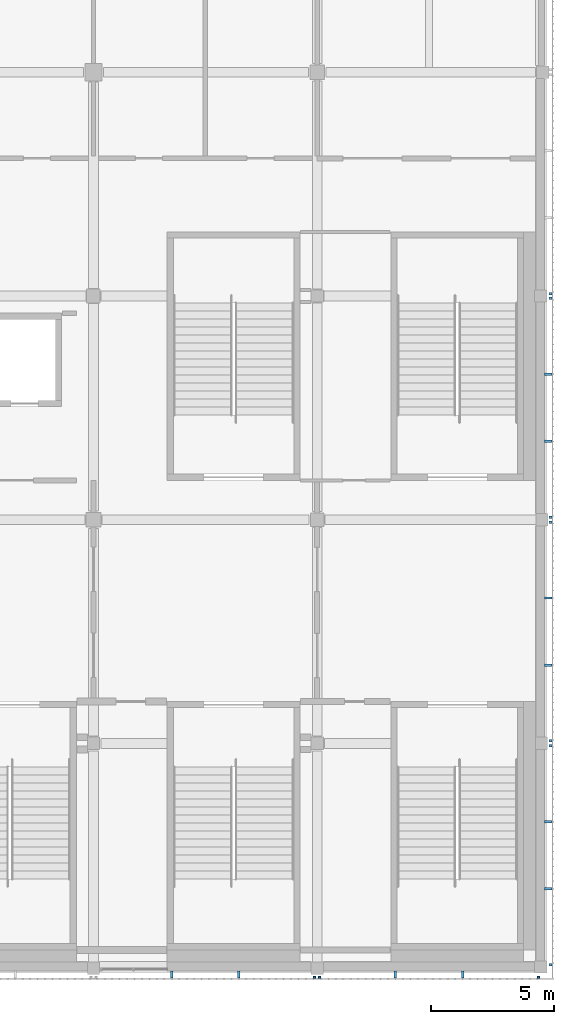
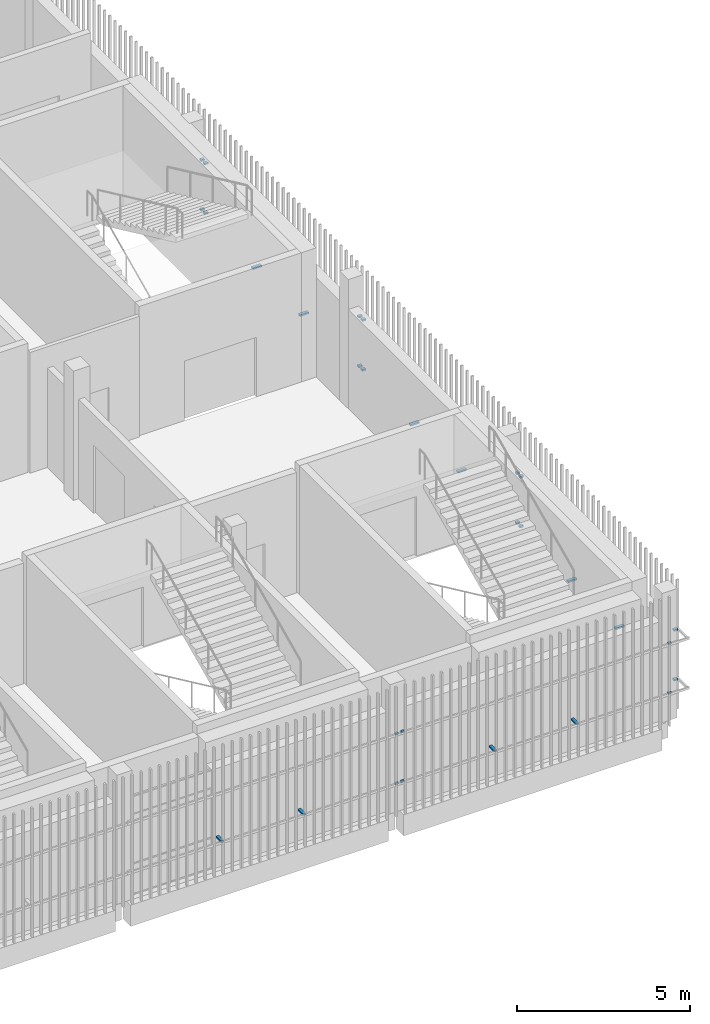
# One storey, part 99 of 124: 30 discrete accessories.
"""IFC4 building model written with IfcOpenShell, lengths in metres."""

from ifc_helpers import new_model, si_unit, direction, frame, origin, origin_2d, place, context, subcontext, project, spatial, rectangle, extrude, material, type_object, element, save


model = new_model("IFC4")

# Units and contexts
model_context = context("Model", 3, precision=1e-05, world=origin(), true_north=direction((0.0, 1.0)))
body_context = subcontext(model_context, "Body", "Model", "MODEL_VIEW")
ifc_project = project(units=[si_unit("LENGTHUNIT", "METRE"), si_unit("AREAUNIT", "SQUARE_METRE"), si_unit("VOLUMEUNIT", "CUBIC_METRE"), si_unit("PLANEANGLEUNIT", "RADIAN"), si_unit("MASSUNIT", "GRAM", prefix="KILO")], contexts=[model_context])

# Site, building, storey
site_placement = place(None, origin())
site = spatial("IfcSite", under=ifc_project, at=site_placement, CompositionType="ELEMENT")
building_placement = place(site_placement, origin())
building = spatial("IfcBuilding", under=site, at=building_placement, Name="Shirokan Park Arena", CompositionType="ELEMENT")
storey_placement = place(building_placement, frame((0.0, 0.0, 20.02001953125)))
storey = spatial("IfcBuildingStorey", under=building, at=storey_placement, Name="L04", CompositionType="ELEMENT", Elevation=20.02001953125)

# Discrete accessories
ifc_material = material(Name="Steel S355", Category="steel")
discrete_accessory_type = type_object("IfcDiscreteAccessoryType", Name="Veil bracket 100x60", PredefinedType="BRACKET", material=ifc_material)
for number, where, z_axis, x_axis, name in (
    (1, (136.39990234375, -0.409912109375, 1.070068359375), (0.0, 0.0, 1.0), (1.0, 0.0, 0.0), "Veil bracket south bay 15 L04 2"),
    (2, (136.39990234375, -0.409912109375, 2.820068359375), (0.0, 0.0, 1.0), (1.0, 0.0, 0.0), "Veil bracket south bay 15 L04 4"),
):
    element("IfcDiscreteAccessory", number, at=place(storey_placement, frame(where, z_axis=z_axis, x_axis=x_axis)), inside=storey, type_object=discrete_accessory_type, Name=name, PredefinedType="BRACKET", context=body_context, shape_type="SweptSolid", body=[
        extrude(rectangle(XDim=0.10009765625, YDim=0.070068359375, at=origin_2d()), origin(), (0.0, 0.0, 1.0), 0.06005859375),
    ])
for number, where, z_axis, x_axis, name in (
    (3, (130.5849609375, -0.297607421875, 1.070068359375), (0.0, 0.0, 1.0), (1.0, 0.0, 0.0), "Veil bracket south bay 15 L04 wall 1"),
    (4, (133.31494140625, -0.297607421875, 1.070068359375), (0.0, 0.0, 1.0), (1.0, 0.0, 0.0), "Veil bracket south bay 15 L04 wall 2"),
):
    element("IfcDiscreteAccessory", number, at=place(storey_placement, frame(where, z_axis=z_axis, x_axis=x_axis)), inside=storey, type_object=discrete_accessory_type, Name=name, PredefinedType="BRACKET", context=body_context, shape_type="SweptSolid", body=[
        extrude(rectangle(XDim=0.10009765625, YDim=0.294921875, at=origin_2d()), origin(), (0.0, 0.0, 1.0), 0.06005859375),
    ])
for number, where, z_axis, x_axis, name in (
    (5, (136.60009765625, -0.409912109375, 1.070068359375), (0.0, 0.0, 1.0), (1.0, 0.0, 0.0), "Veil bracket south bay 16 L04 1"),
    (6, (145.5, -0.409912109375, 1.070068359375), (0.0, 0.0, 1.0), (1.0, 0.0, 0.0), "Veil bracket south bay 16 L04 2"),
    (7, (136.60009765625, -0.409912109375, 2.820068359375), (0.0, 0.0, 1.0), (1.0, 0.0, 0.0), "Veil bracket south bay 16 L04 3"),
    (8, (145.5, -0.409912109375, 2.820068359375), (0.0, 0.0, 1.0), (1.0, 0.0, 0.0), "Veil bracket south bay 16 L04 4"),
):
    element("IfcDiscreteAccessory", number, at=place(storey_placement, frame(where, z_axis=z_axis, x_axis=x_axis)), inside=storey, type_object=discrete_accessory_type, Name=name, PredefinedType="BRACKET", context=body_context, shape_type="SweptSolid", body=[
        extrude(rectangle(XDim=0.10009765625, YDim=0.070068359375, at=origin_2d()), origin(), (0.0, 0.0, 1.0), 0.06005859375),
    ])
for number, where, z_axis, x_axis, name in (
    (9, (139.68505859375, -0.297607421875, 1.070068359375), (0.0, 0.0, 1.0), (1.0, 0.0, 0.0), "Veil bracket south bay 16 L04 wall 1"),
    (10, (142.4150390625, -0.297607421875, 1.070068359375), (0.0, 0.0, 1.0), (1.0, 0.0, 0.0), "Veil bracket south bay 16 L04 wall 2"),
):
    element("IfcDiscreteAccessory", number, at=place(storey_placement, frame(where, z_axis=z_axis, x_axis=x_axis)), inside=storey, type_object=discrete_accessory_type, Name=name, PredefinedType="BRACKET", context=body_context, shape_type="SweptSolid", body=[
        extrude(rectangle(XDim=0.10009765625, YDim=0.294921875, at=origin_2d()), origin(), (0.0, 0.0, 1.0), 0.06005859375),
    ])
for number, where, z_axis, x_axis, name in (
    (11, (145.985107421875, 0.10009765625, 1.070068359375), (0.0, 0.0, 1.0), (0.0, 1.0, 0.0), "Veil bracket east bay 1 L04 1"),
    (12, (145.985107421875, 9.0, 1.070068359375), (0.0, 0.0, 1.0), (0.0, 1.0, 0.0), "Veil bracket east bay 1 L04 2"),
    (13, (145.985107421875, 0.10009765625, 2.820068359375), (0.0, 0.0, 1.0), (0.0, 1.0, 0.0), "Veil bracket east bay 1 L04 3"),
    (14, (145.985107421875, 9.0, 2.820068359375), (0.0, 0.0, 1.0), (0.0, 1.0, 0.0), "Veil bracket east bay 1 L04 4"),
):
    element("IfcDiscreteAccessory", number, at=place(storey_placement, frame(where, z_axis=z_axis, x_axis=x_axis)), inside=storey, type_object=discrete_accessory_type, Name=name, PredefinedType="BRACKET", context=body_context, shape_type="SweptSolid", body=[
        extrude(rectangle(XDim=0.10009765625, YDim=0.1201171875, at=origin_2d()), origin(), (0.0, 0.0, 1.0), 0.06005859375),
    ])
for number, where, z_axis, x_axis, name in (
    (15, (145.8974609375, 3.18505859375, 1.070068359375), (0.0, 0.0, 1.0), (0.0, 1.0, 0.0), "Veil bracket east bay 1 L04 wall 1"),
    (16, (145.8974609375, 5.9150390625, 1.070068359375), (0.0, 0.0, 1.0), (0.0, 1.0, 0.0), "Veil bracket east bay 1 L04 wall 2"),
):
    element("IfcDiscreteAccessory", number, at=place(storey_placement, frame(where, z_axis=z_axis, x_axis=x_axis)), inside=storey, type_object=discrete_accessory_type, Name=name, PredefinedType="BRACKET", context=body_context, shape_type="SweptSolid", body=[
        extrude(rectangle(XDim=0.10009765625, YDim=0.294921875, at=origin_2d()), origin(), (0.0, 0.0, 1.0), 0.06005859375),
    ])
for number, where, z_axis, x_axis, name in (
    (17, (145.985107421875, 9.199951171875, 1.070068359375), (0.0, 0.0, 1.0), (0.0, 1.0, 0.0), "Veil bracket east bay 2 L04 1"),
    (18, (145.985107421875, 18.10009765625, 1.070068359375), (0.0, 0.0, 1.0), (0.0, 1.0, 0.0), "Veil bracket east bay 2 L04 2"),
    (19, (145.985107421875, 9.199951171875, 2.820068359375), (0.0, 0.0, 1.0), (0.0, 1.0, 0.0), "Veil bracket east bay 2 L04 3"),
    (20, (145.985107421875, 18.10009765625, 2.820068359375), (0.0, 0.0, 1.0), (0.0, 1.0, 0.0), "Veil bracket east bay 2 L04 4"),
):
    element("IfcDiscreteAccessory", number, at=place(storey_placement, frame(where, z_axis=z_axis, x_axis=x_axis)), inside=storey, type_object=discrete_accessory_type, Name=name, PredefinedType="BRACKET", context=body_context, shape_type="SweptSolid", body=[
        extrude(rectangle(XDim=0.10009765625, YDim=0.1201171875, at=origin_2d()), origin(), (0.0, 0.0, 1.0), 0.06005859375),
    ])
for number, where, z_axis, x_axis, name in (
    (21, (145.8974609375, 12.284912109375, 1.070068359375), (0.0, 0.0, 1.0), (0.0, 1.0, 0.0), "Veil bracket east bay 2 L04 wall 1"),
    (22, (145.8974609375, 15.014892578125, 1.070068359375), (0.0, 0.0, 1.0), (0.0, 1.0, 0.0), "Veil bracket east bay 2 L04 wall 2"),
):
    element("IfcDiscreteAccessory", number, at=place(storey_placement, frame(where, z_axis=z_axis, x_axis=x_axis)), inside=storey, type_object=discrete_accessory_type, Name=name, PredefinedType="BRACKET", context=body_context, shape_type="SweptSolid", body=[
        extrude(rectangle(XDim=0.10009765625, YDim=0.294921875, at=origin_2d()), origin(), (0.0, 0.0, 1.0), 0.06005859375),
    ])
for number, where, z_axis, x_axis, name in (
    (23, (145.985107421875, 18.300048828125, 1.070068359375), (0.0, 0.0, 1.0), (0.0, 1.0, 0.0), "Veil bracket east bay 3 L04 1"),
    (24, (145.985107421875, 27.199951171875, 1.070068359375), (0.0, 0.0, 1.0), (0.0, 1.0, 0.0), "Veil bracket east bay 3 L04 2"),
    (25, (145.985107421875, 18.300048828125, 2.820068359375), (0.0, 0.0, 1.0), (0.0, 1.0, 0.0), "Veil bracket east bay 3 L04 3"),
    (26, (145.985107421875, 27.199951171875, 2.820068359375), (0.0, 0.0, 1.0), (0.0, 1.0, 0.0), "Veil bracket east bay 3 L04 4"),
):
    element("IfcDiscreteAccessory", number, at=place(storey_placement, frame(where, z_axis=z_axis, x_axis=x_axis)), inside=storey, type_object=discrete_accessory_type, Name=name, PredefinedType="BRACKET", context=body_context, shape_type="SweptSolid", body=[
        extrude(rectangle(XDim=0.10009765625, YDim=0.1201171875, at=origin_2d()), origin(), (0.0, 0.0, 1.0), 0.06005859375),
    ])
for number, where, z_axis, x_axis, name in (
    (27, (145.8974609375, 21.385009765625, 1.070068359375), (0.0, 0.0, 1.0), (0.0, 1.0, 0.0), "Veil bracket east bay 3 L04 wall 1"),
    (28, (145.8974609375, 24.114990234375, 1.070068359375), (0.0, 0.0, 1.0), (0.0, 1.0, 0.0), "Veil bracket east bay 3 L04 wall 2"),
):
    element("IfcDiscreteAccessory", number, at=place(storey_placement, frame(where, z_axis=z_axis, x_axis=x_axis)), inside=storey, type_object=discrete_accessory_type, Name=name, PredefinedType="BRACKET", context=body_context, shape_type="SweptSolid", body=[
        extrude(rectangle(XDim=0.10009765625, YDim=0.294921875, at=origin_2d()), origin(), (0.0, 0.0, 1.0), 0.06005859375),
    ])
for number, where, z_axis, x_axis, name in (
    (29, (145.985107421875, 27.39990234375, 1.070068359375), (0.0, 0.0, 1.0), (0.0, 1.0, 0.0), "Veil bracket east bay 4 L04 1"),
    (30, (145.985107421875, 27.39990234375, 2.820068359375), (0.0, 0.0, 1.0), (0.0, 1.0, 0.0), "Veil bracket east bay 4 L04 3"),
):
    element("IfcDiscreteAccessory", number, at=place(storey_placement, frame(where, z_axis=z_axis, x_axis=x_axis)), inside=storey, type_object=discrete_accessory_type, Name=name, PredefinedType="BRACKET", context=body_context, shape_type="SweptSolid", body=[
        extrude(rectangle(XDim=0.10009765625, YDim=0.1201171875, at=origin_2d()), origin(), (0.0, 0.0, 1.0), 0.06005859375),
    ])

save(model, "model.ifc")
